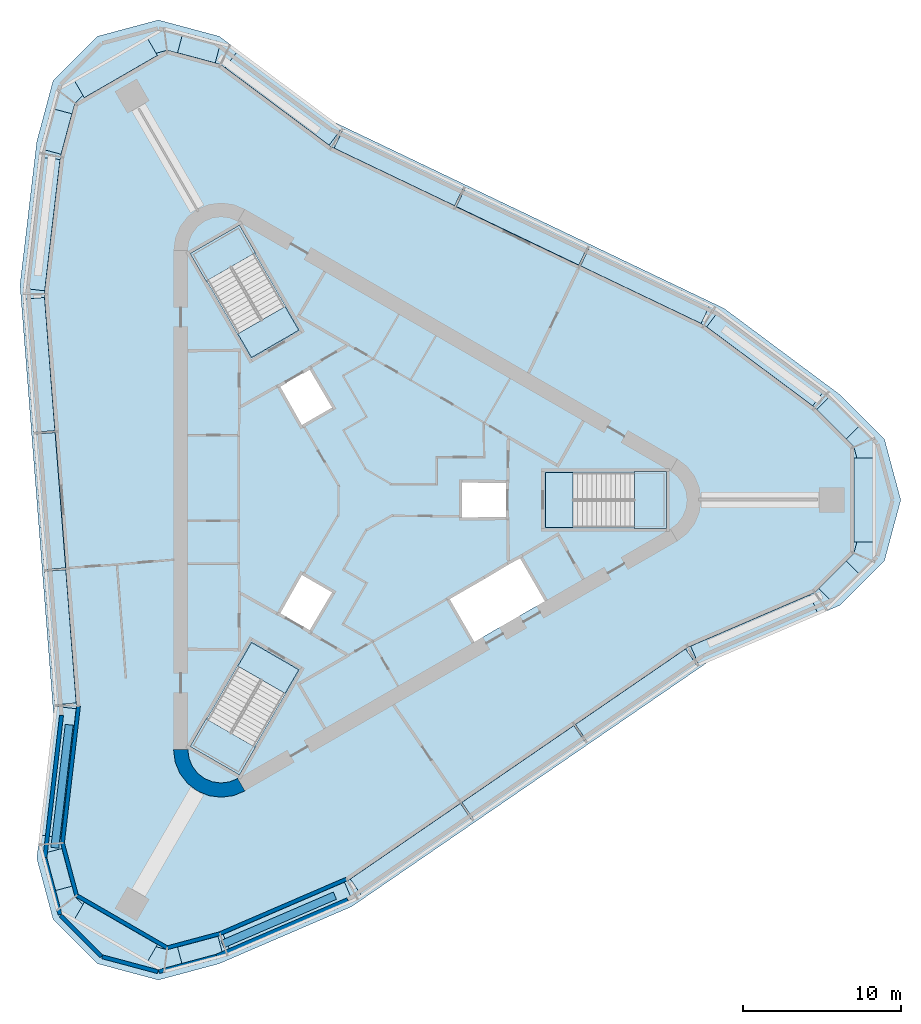
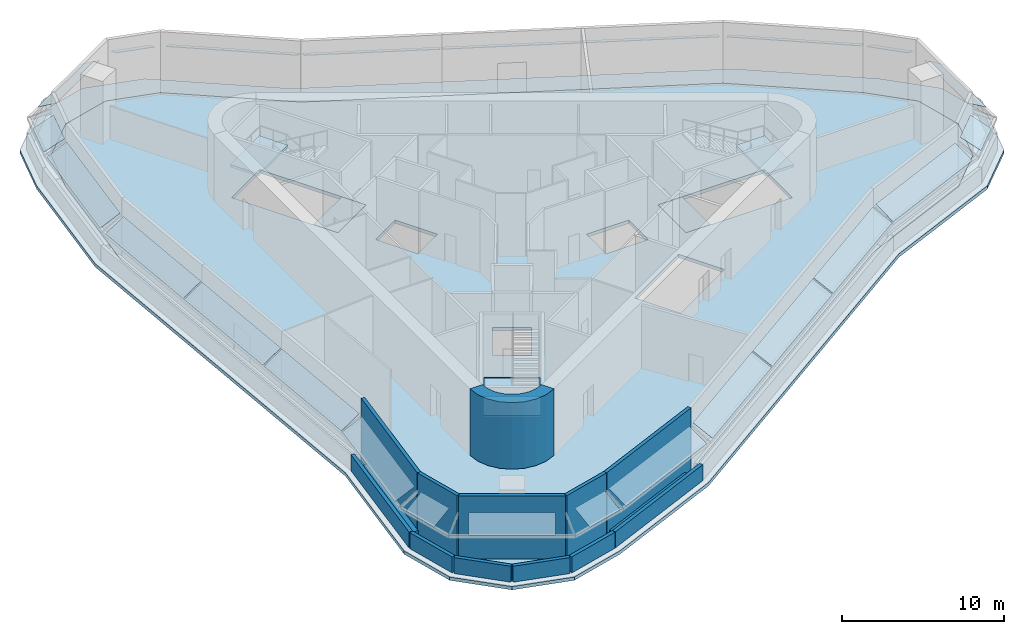
# One storey, part 3 of 8: 24 plates, 14 walls, 8 slabs, 4 elements without a shape of their own.
"""IFC4 building model written with IfcOpenShell, lengths in metres."""

from ifc_helpers import new_model, si_unit, direction, frame, frame_2d, origin, place, context, subcontext, project, spatial, polyline, rectangle, outline, extrude, material, layer, layer_set, type_object, element, aggregate, save


model = new_model("IFC4")

# Units and contexts
model_context = context("Model", 3, precision=1e-05, world=origin(), true_north=direction((0.0, 1.0)))
body_context = subcontext(model_context, "Body", "Model", "MODEL_VIEW")
ifc_project = project(units=[si_unit("LENGTHUNIT", "METRE"), si_unit("AREAUNIT", "SQUARE_METRE"), si_unit("VOLUMEUNIT", "CUBIC_METRE"), si_unit("PLANEANGLEUNIT", "RADIAN"), si_unit("MASSUNIT", "GRAM", prefix="KILO")], contexts=[model_context])

# Site, building, storey
site_placement = place(None, origin())
site = spatial("IfcSite", under=ifc_project, at=site_placement, CompositionType="ELEMENT")
building_placement = place(site_placement, origin())
building = spatial("IfcBuilding", under=site, at=building_placement, Name="Tanit Gate Tower", CompositionType="ELEMENT")
storey_placement = place(building_placement, frame((0.0, 0.0, 410.300048828125)))
storey = spatial("IfcBuildingStorey", under=building, at=storey_placement, Name="L93", CompositionType="ELEMENT", Elevation=410.300048828125)

# Slab
ifc_material_1 = material(Name="Concrete C35/45", Category="concrete")
ifc_layer_1 = layer(ifc_material_1, 0.25)
ifc_layer_set_1 = layer_set([ifc_layer_1], Name="CROWN FLOOR SLAB 250 C35/45")
slab_type_1 = type_object("IfcSlabType", Name="CROWN FLOOR SLAB 250 C35/45", PredefinedType="FLOOR", material=ifc_layer_set_1)
slab_1_placement = place(storey_placement, frame((0.0, 0.0, -0.25)))
element("IfcSlab", 1, at=slab_1_placement, inside=storey, type_object=slab_type_1, Name="FLOOR SLAB L93", PredefinedType="FLOOR", context=body_context, shape_type="SweptSolid", body=[
    extrude(outline(polyline([(28.3701171875, 5.830078125), (30.834228515625, 3.365966796875), (31.736083984375, 0.0), (30.834228515625, -3.365966796875), (28.3701171875, -5.830078125), (20.36181640625, -9.2822265625), (-1.127685546875, -24.031982421875), (-9.135986328125, -27.484130859375), (-12.502197265625, -28.385986328125), (-15.867919921875, -27.484130859375), (-18.33203125, -25.020263671875), (-19.23388671875, -21.654296875), (-18.219482421875, -12.992431640625), (-20.248291015625, 12.992431640625), (-19.23388671875, 21.654296875), (-18.33203125, 25.020263671875), (-15.867919921875, 27.484130859375), (-12.502197265625, 28.385986328125), (-9.135986328125, 27.484130859375), (-2.14208984375, 22.27490234375), (21.376220703125, 11.039306640625), (28.3701171875, 5.830078125)]), holes=[polyline([(11.3701171875, -1.72998046875), (11.3701171875, 1.72998046875), (18.929931640625, 1.72998046875), (18.929931640625, -1.72998046875), (11.3701171875, -1.72998046875)]), polyline([(9.82080078125, -3.510009765625), (11.44580078125, -6.324462890625), (6.76904296875, -9.0244140625), (5.14404296875, -6.2099609375), (9.82080078125, -3.510009765625)]), polyline([(6.0, -1.199951171875), (6.0, 1.199951171875), (9.0, 1.199951171875), (9.0, -1.199951171875), (6.0, -1.199951171875)]), polyline([(-1.960693359375, 5.796142578125), (-4.039306640625, 4.59619140625), (-5.539306640625, 7.194091796875), (-3.460693359375, 8.394287109375), (-1.960693359375, 5.796142578125)]), polyline([(-4.039306640625, -4.59619140625), (-1.960693359375, -5.796142578125), (-3.460693359375, -8.394287109375), (-5.539306640625, -7.194091796875), (-4.039306640625, -4.59619140625)]), polyline([(-4.186767578125, 10.711669921875), (-7.18310546875, 8.981689453125), (-10.963134765625, 15.52880859375), (-7.966796875, 17.2587890625), (-4.186767578125, 10.711669921875)]), polyline([(-7.18310546875, -8.981689453125), (-4.186767578125, -10.711669921875), (-7.966796875, -17.2587890625), (-10.963134765625, -15.52880859375), (-7.18310546875, -8.981689453125)])]), origin(), (0.0, 0.0, 1.0), 0.25),
])

# Curtain wall, plates
ifc_material_2 = material(Name="Aluminium bronze anodised and glass", Category="aluminium")
curtain_wall_type = type_object("IfcCurtainWallType", Name="Curtain wall crown roof", PredefinedType="NOTDEFINED", material=ifc_material_2)
curtain_wall_placement = place(storey_placement, origin())
curtain_wall = element("IfcCurtainWall", 2, at=curtain_wall_placement, inside=storey, type_object=curtain_wall_type, Name="Glass roof L93", PredefinedType="NOTDEFINED")
ifc_material_3 = material(Name="Glass tinted laminated safety", Category="glass")
ifc_layer_2 = layer(ifc_material_3, 0.033935546875)
ifc_layer_set_2 = layer_set([ifc_layer_2], Name="Glass panel 34 crown roof")
plate_type = type_object("IfcPlateType", Name="Glass panel 34 crown roof", PredefinedType="CURTAIN_PANEL", material=ifc_layer_set_2)
plate_1_placement = place(storey_placement, frame((28.240478515625, 5.94140625, 3.498291015625), z_axis=(0.298677664121, 0.401000116052, 0.866019953512), x_axis=(-0.801981174577, 0.597349307867, -3.785001e-06)))
plate_1 = element("IfcPlate", 3, at=plate_1_placement, type_object=plate_type, Name="Roof glass panel L93 NE1.1", PredefinedType="CURTAIN_PANEL", context=body_context, shape_type="SweptSolid", body=[
    extrude(outline(polyline([(0.0, 0.0), (8.342086633256072, -4.440892098500626e-16), (8.342245167834495, -1.547270917915331), (-3.726160677512661e-05, -1.5473972162399434), (0.0, 0.0)])), origin(), (0.0, 0.0, -1.0), 0.033935546875),
])
plate_2_placement = place(storey_placement, frame((21.193359375, 11.139892578125, 3.498291015625), z_axis=(0.215525885879, 0.451146480538, 0.866034321268), x_axis=(-0.902320835305, 0.431065088094, 0.0)))
plate_2 = element("IfcPlate", 4, at=plate_2_placement, type_object=plate_type, Name="Roof glass panel L93 NE2.1", PredefinedType="CURTAIN_PANEL", context=body_context, shape_type="SweptSolid", body=[
    extrude(outline(polyline([(0.0, 0.0), (8.43149117095875, 4.440892098500626e-16), (8.43153372100709, -1.5474110834159716), (4.255004834010284e-05, -1.5474110834159722), (0.0, 0.0)])), origin(), (0.0, 0.0, -1.0), 0.033935546875),
])
plate_3_placement = place(storey_placement, frame((13.47705078125, 14.826171875, 3.498291015625), z_axis=(0.215547576424, 0.451170278286, 0.866016525413), x_axis=(-0.902308649693, 0.431090594491, -5.566701e-06)))
plate_3 = element("IfcPlate", 5, at=plate_3_placement, type_object=plate_type, Name="Roof glass panel L93 NE2.2", PredefinedType="CURTAIN_PANEL", context=body_context, shape_type="SweptSolid", body=[
    extrude(outline(polyline([(0.0, 0.0), (8.56798713506492, 0.0), (8.56796662716069, -1.54722030604204), (8.473882294207722e-05, -1.547411080700675), (0.0, 0.0)])), origin(), (0.0, 0.0, -1.0), 0.033935546875),
])
plate_4_placement = place(storey_placement, frame((5.6376953125, 18.571533203125, 3.498291015625), z_axis=(0.215552460954, 0.451202108434, 0.865998726281), x_axis=(-0.902320835305, 0.431065088094, 0.0)))
plate_4 = element("IfcPlate", 6, at=plate_4_placement, type_object=plate_type, Name="Roof glass panel L93 NE2.3", PredefinedType="CURTAIN_PANEL", context=body_context, shape_type="SweptSolid", body=[
    extrude(outline(polyline([(0.0, 0.0), (8.43149117095875, 0.0), (8.431428480507067, -1.547220305888113), (-6.269045168294518e-05, -1.547220305888113), (0.0, 0.0)])), origin(), (0.0, 0.0, -1.0), 0.033935546875),
])
plate_5_placement = place(storey_placement, frame((-2.283203125, 22.39501953125, 3.498291015625), z_axis=(0.29866265183, 0.400985854377, 0.866031734402), x_axis=(-0.801989296558, 0.597338403425, 0.0)))
plate_5 = element("IfcPlate", 7, at=plate_5_placement, type_object=plate_type, Name="Roof glass panel L93 NE3.1", PredefinedType="CURTAIN_PANEL", context=body_context, shape_type="SweptSolid", body=[
    extrude(outline(polyline([(0.0, 0.0), (8.18490846766242, 4.440892098500626e-16), (8.184850056641988, -1.54739721601566), (-5.8411020432469485e-05, -1.5473972160156595), (0.0, 0.0)])), origin(), (0.0, 0.0, -1.0), 0.033935546875),
])
plate_6_placement = place(storey_placement, frame((-9.47216796875, 27.586669921875, 3.498291015625), z_axis=(0.129407057709, 0.482989093143, 0.866011171591), x_axis=(-0.965918776191, 0.258845353658, -2.6299678e-05)))
plate_6 = element("IfcPlate", 8, at=plate_6_placement, type_object=plate_type, Name="Roof glass panel L93 NW.arc1.1", PredefinedType="CURTAIN_PANEL", context=body_context, shape_type="SweptSolid", body=[
    extrude(outline(polyline([(0.0, 0.0), (2.4615891929613967, -1.1102230246251565e-16), (2.4617400477532443, -1.5471575223614886), (-2.1770555450348873e-05, -1.547416474685245), (0.0, 0.0)])), origin(), (0.0, 0.0, -1.0), 0.033935546875),
])
plate_7_placement = place(storey_placement, frame((-13.122314453125, 28.05615234375, 3.498291015625), z_axis=(-0.250010124074, 0.43302399623, 0.866016833872), x_axis=(-0.866029724031, -0.499992516965, -8.592183e-06)))
plate_7 = element("IfcPlate", 9, at=plate_7_placement, type_object=plate_type, Name="Roof glass panel L93 NW.arc2.1", PredefinedType="CURTAIN_PANEL", context=body_context, shape_type="SweptSolid", body=[
    extrude(outline(polyline([(0.0, 0.0), (5.327762233170567, 6.661338147750939e-16), (5.327749625318037, -1.5472257958207933), (-0.00013467633811659657, -1.547408900915466), (0.0, 0.0)])), origin(), (0.0, 0.0, -1.0), 0.033935546875),
])
plate_8_placement = place(storey_placement, frame((-18.517578125, 24.374267578125, 3.498291015625), z_axis=(-0.482954930137, 0.12940706551, 0.866030222829), x_axis=(-0.258809789288, -0.965928306316, 5.177544e-06)))
plate_8 = element("IfcPlate", 10, at=plate_8_placement, type_object=plate_type, Name="Roof glass panel L93 NW.arc3.1", PredefinedType="CURTAIN_PANEL", context=body_context, shape_type="SweptSolid", body=[
    extrude(outline(polyline([(0.0, 0.0), (2.642270687016576, 0.0), (2.6421752211703278, -1.5474164736186475), (0.00014035649416132285, -1.5473617532575719), (0.0, 0.0)])), origin(), (0.0, 0.0, -1.0), 0.033935546875),
])
plate_9_placement = place(storey_placement, frame((-19.265625, 21.486328125, 3.498291015625), z_axis=(-0.496613146563, 0.058159527102, 0.866021276914), x_axis=(-0.116326949453, -0.99321097497, -5.556193e-06)))
plate_9 = element("IfcPlate", 11, at=plate_9_placement, type_object=plate_type, Name="Roof glass panel L93 W1.1", PredefinedType="CURTAIN_PANEL", context=body_context, shape_type="SweptSolid", body=[
    extrude(outline(polyline([(0.0, 0.0), (8.342283616356049, 1.1102230246251565e-16), (8.342150314607503, -1.5472484610557156), (0.00013758153378075653, -1.5474338607483573), (0.0, 0.0)])), origin(), (0.0, 0.0, -1.0), 0.033935546875),
])
plate_10_placement = place(storey_placement, frame((-20.244140625, 12.783935546875, 3.498291015625), z_axis=(-0.49849648271, -0.038917777712, 0.866017703805), x_axis=(0.077834321955, -0.996966307518, 4.87965e-07)))
plate_10 = element("IfcPlate", 12, at=plate_10_placement, type_object=plate_type, Name="Roof glass panel L93 W2.1", PredefinedType="CURTAIN_PANEL", context=body_context, shape_type="SweptSolid", body=[
    extrude(outline(polyline([(0.0, 0.0), (8.43133999639917, 1.1102230246251565e-16), (8.431533019719806, -1.547330237833671), (-5.0376656785281855e-05, -1.54731378125554), (0.0, 0.0)])), origin(), (0.0, 0.0, -1.0), 0.033935546875),
])
plate_11_placement = place(storey_placement, frame((-19.57861328125, 4.25830078125, 3.498291015625), z_axis=(-0.498533117156, -0.038920292944, 0.865996502242), x_axis=(0.077843413941, -0.996965597635, 6.150934e-06)))
plate_11 = element("IfcPlate", 13, at=plate_11_placement, type_object=plate_type, Name="Roof glass panel L93 W2.2", PredefinedType="CURTAIN_PANEL", context=body_context, shape_type="SweptSolid", body=[
    extrude(outline(polyline([(0.0, 0.0), (8.5679932951534, 2.220446049250313e-16), (8.567926316831095, -1.5473137794365222), (-4.797358257359428e-05, -1.5471029961159628), (0.0, 0.0)])), origin(), (0.0, 0.0, -1.0), 0.033935546875),
])
plate_12_placement = place(storey_placement, frame((-18.90234375, -4.4033203125, 3.498291015625), z_axis=(-0.498495358593, -0.038932168259, 0.866017704055), x_axis=(0.077863102656, -0.996964060157, 4.88144e-07)))
plate_12 = element("IfcPlate", 14, at=plate_12_placement, type_object=plate_type, Name="Roof glass panel L93 W2.3", PredefinedType="CURTAIN_PANEL", context=body_context, shape_type="SweptSolid", body=[
    extrude(outline(polyline([(0.0, 0.0), (8.43135900250104, 2.220446049250313e-16), (8.431513341632721, -1.547330242175801), (-8.906029706994147e-05, -1.547313779512537), (0.0, 0.0)])), origin(), (0.0, 0.0, -1.0), 0.033935546875),
])
plate_13_placement = place(storey_placement, frame((-18.2529296875, -13.1748046875, 3.498291015625), z_axis=(-0.496609383951, 0.058157495727, 0.866023570962), x_axis=(-0.116325287061, -0.993211169666, -6.414132e-06)))
plate_13 = element("IfcPlate", 15, at=plate_13_placement, type_object=plate_type, Name="Roof glass panel L93 W3.1", PredefinedType="CURTAIN_PANEL", context=body_context, shape_type="SweptSolid", body=[
    extrude(outline(polyline([(0.0, 0.0), (8.184964391374967, 0.0), (8.184829510695858, -1.5472484606570225), (-0.00010648095082264208, -1.547458456729006), (0.0, 0.0)])), origin(), (0.0, 0.0, -1.0), 0.033935546875),
])
plate_14_placement = place(storey_placement, frame((-19.15478515625, -21.996337890625, 3.498291015625), z_axis=(-0.482989093143, -0.129407057709, 0.866011171591), x_axis=(0.258826756988, -0.965923759743, 1.5183314e-05)))
plate_14 = element("IfcPlate", 16, at=plate_14_placement, type_object=plate_type, Name="Roof glass panel L93 SW.arc1.1", PredefinedType="CURTAIN_PANEL", context=body_context, shape_type="SweptSolid", body=[
    extrude(outline(polyline([(0.0, 0.0), (2.461825013583488, 0.0), (2.4616453645024827, -1.5473617486732345), (0.0001193622756184649, -1.5472122504785126), (0.0, 0.0)])), origin(), (0.0, 0.0, -1.0), 0.033935546875),
])
plate_15_placement = place(storey_placement, frame((-17.736328125, -25.392333984375, 3.498291015625), z_axis=(-0.250033510019, -0.433044657794, 0.865999750706), x_axis=(0.866012362072, -0.500022588228, 0.0)))
plate_15 = element("IfcPlate", 17, at=plate_15_placement, type_object=plate_type, Name="Roof glass panel L93 SW.arc2.1", PredefinedType="CURTAIN_PANEL", context=body_context, shape_type="SweptSolid", body=[
    extrude(outline(polyline([(0.0, 0.0), (5.327884305064785, -2.220446049250313e-16), (5.327950086393961, -1.5472257953767374), (6.57813291752482e-05, -1.547225795376737), (0.0, 0.0)])), origin(), (0.0, 0.0, -1.0), 0.033935546875),
])
plate_16_placement = place(storey_placement, frame((-11.849853515625, -28.223876953125, 3.498291015625), z_axis=(0.129427634033, -0.48300858927, 0.865997222998), x_axis=(0.965922890213, 0.258830002438, 0.0)))
plate_16 = element("IfcPlate", 18, at=plate_16_placement, type_object=plate_type, Name="Roof glass panel L93 SW.arc3.1", PredefinedType="CURTAIN_PANEL", context=body_context, shape_type="SweptSolid", body=[
    extrude(outline(polyline([(0.0, 0.0), (2.64203486529006, 1.1102230246251565e-16), (2.6421614727284677, -1.5472122505046422), (0.00012660743840819944, -1.5472122505046422), (0.0, 0.0)])), origin(), (0.0, 0.0, -1.0), 0.033935546875),
])
plate_17_placement = place(storey_placement, frame((-8.974853515625, -27.427734375, 3.498291015625), z_axis=(0.197931000685, -0.459148999335, 0.866028588083), x_axis=(0.91830413867, 0.395875622978, 5.818574e-06)))
plate_17 = element("IfcPlate", 19, at=plate_17_placement, type_object=plate_type, Name="Roof glass panel L93 SE1.1", PredefinedType="CURTAIN_PANEL", context=body_context, shape_type="SweptSolid", body=[
    extrude(outline(polyline([(0.0, 0.0), (8.342176956836347, 4.440892098500626e-16), (8.342139710458886, -1.5474774300007181), (5.940294455471183e-05, -1.5472832707026305), (0.0, 0.0)])), origin(), (0.0, 0.0, -1.0), 0.033935546875),
])
plate_18_placement = place(storey_placement, frame((-0.94921875, -23.923828125, 3.498291015625), z_axis=(0.28294709184, -0.412241179576, 0.866024337465), x_axis=(0.824484379775, 0.56588471218, -5.168759e-06)))
plate_18 = element("IfcPlate", 20, at=plate_18_placement, type_object=plate_type, Name="Roof glass panel L93 SE2.1", PredefinedType="CURTAIN_PANEL", context=body_context, shape_type="SweptSolid", body=[
    extrude(outline(polyline([(0.0, 0.0), (8.431507119108673, 8.881784197001252e-16), (8.431564868318706, -1.547270404517692), (-8.040623727665395e-05, -1.5474447270277585), (0.0, 0.0)])), origin(), (0.0, 0.0, -1.0), 0.033935546875),
])
plate_19_placement = place(storey_placement, frame((6.101318359375, -19.084716796875, 3.498291015625), z_axis=(0.282963869903, -0.412263825561, 0.866008075287), x_axis=(0.824478161596, 0.565893771878, 0.0)))
plate_19 = element("IfcPlate", 21, at=plate_19_placement, type_object=plate_type, Name="Roof glass panel L93 SE2.2", PredefinedType="CURTAIN_PANEL", context=body_context, shape_type="SweptSolid", body=[
    extrude(outline(polyline([(0.0, 0.0), (8.568097147288663, 0.0), (8.568136173696914, -1.5472704059215374), (3.902640824937631e-05, -1.5472704059215374), (0.0, 0.0)])), origin(), (0.0, 0.0, -1.0), 0.033935546875),
])
plate_20_placement = place(storey_placement, frame((13.264404296875, -14.168212890625, 3.498291015625), z_axis=(0.28294709184, -0.412241179576, 0.866024337465), x_axis=(0.824474247549, 0.565899474378, 5.168675e-06)))
plate_20 = element("IfcPlate", 22, at=plate_20_placement, type_object=plate_type, Name="Roof glass panel L93 SE2.3", PredefinedType="CURTAIN_PANEL", context=body_context, shape_type="SweptSolid", body=[
    extrude(outline(polyline([(0.0, 0.0), (8.431645276358024, -4.440892098500626e-16), (8.431532877023312, -1.5474447250346515), (2.5759716650261306e-05, -1.5472704053809574), (0.0, 0.0)])), origin(), (0.0, 0.0, -1.0), 0.033935546875),
])
plate_21_placement = place(storey_placement, frame((20.5361328125, -9.22021484375, 3.498291015625), z_axis=(0.197946810399, -0.45917634507, 0.866010475907), x_axis=(0.918305204668, 0.395873150237, 0.0)))
plate_21 = element("IfcPlate", 23, at=plate_21_placement, type_object=plate_type, Name="Roof glass panel L93 SE3.1", PredefinedType="CURTAIN_PANEL", context=body_context, shape_type="SweptSolid", body=[
    extrude(outline(polyline([(0.0, 0.0), (8.185031930194716, 0.0), (8.185099443023796, -1.5472832713851683), (6.751282907940803e-05, -1.547283271385168), (0.0, 0.0)])), origin(), (0.0, 0.0, -1.0), 0.033935546875),
])
plate_22_placement = place(storey_placement, frame((28.626953125, -5.59033203125, 3.498291015625), z_axis=(0.353592978157, -0.353543385874, 0.866013325592), x_axis=(0.707057189239, 0.707156369656, 0.0)))
plate_22 = element("IfcPlate", 24, at=plate_22_placement, type_object=plate_type, Name="Roof glass panel L93 E.arc1.1", PredefinedType="CURTAIN_PANEL", context=body_context, shape_type="SweptSolid", body=[
    extrude(outline(polyline([(0.0, 0.0), (2.461580961360861, -2.220446049250313e-16), (2.461486986947667, -1.54729854395281), (-9.39744131940684e-05, -1.54729854395281), (0.0, 0.0)])), origin(), (0.0, 0.0, -1.0), 0.033935546875),
])
plate_23_placement = place(storey_placement, frame((30.858642578125, -2.663818359375, 3.498291015625), z_axis=(0.500059376657, 0.0, 0.865991119941), x_axis=(0.0, 1.0, 0.0)))
plate_23 = element("IfcPlate", 25, at=plate_23_placement, type_object=plate_type, Name="Roof glass panel L93 E.arc2.1", PredefinedType="CURTAIN_PANEL", context=body_context, shape_type="SweptSolid", body=[
    extrude(outline(polyline([(0.0, 0.0), (5.327880859375, 0.0), (5.327880859375, -1.5471795485509283), (0.0, -1.5471795485509283), (0.0, 0.0)])), origin(), (0.0, 0.0, -1.0), 0.033935546875),
])
plate_24_placement = place(storey_placement, frame((30.367431640625, 3.849609375, 3.498291015625), z_axis=(0.353568182233, 0.353568182233, 0.866013326125), x_axis=(-0.707106781187, 0.707106781187, 0.0)))
plate_24 = element("IfcPlate", 26, at=plate_24_placement, type_object=plate_type, Name="Roof glass panel L93 E.arc3.1", PredefinedType="CURTAIN_PANEL", context=body_context, shape_type="SweptSolid", body=[
    extrude(outline(polyline([(0.0, 0.0), (2.6419829539255186, 0.0), (2.6419829539255186, -1.5472985468065552), (0.0, -1.5472985468065552), (0.0, 0.0)])), origin(), (0.0, 0.0, -1.0), 0.033935546875),
])
aggregate(curtain_wall, [plate_1, plate_2, plate_3, plate_4, plate_5, plate_6, plate_7, plate_8, plate_9, plate_10, plate_11, plate_12, plate_13, plate_14, plate_15, plate_16, plate_17, plate_18, plate_19, plate_20, plate_21, plate_22, plate_23, plate_24])

# Stair, slab
ifc_material_4 = material(Name="Concrete C40/50", Category="concrete")
stair_type = type_object("IfcStairType", Name="INT-STAIR-EXIT", PredefinedType="HALF_TURN_STAIR", material=ifc_material_4)
stair_1_placement = place(storey_placement, origin())
stair_1 = element("IfcStair", 27, at=stair_1_placement, inside=storey, type_object=stair_type, Name="L93 STAIR S1", PredefinedType="HALF_TURN_STAIR")
ifc_material_5 = material(Name="Concrete C40/50", Category="concrete")
ifc_layer_3 = layer(ifc_material_5, 0.199951171875)
ifc_layer_set_3 = layer_set([ifc_layer_3], Name="INT-STAIR-LANDING")
slab_type_2 = type_object("IfcSlabType", Name="INT-STAIR-LANDING", PredefinedType="LANDING", material=ifc_layer_set_3)
slab_2_placement = place(storey_placement, frame((0.0, 0.0, 2.300048828125)))
slab_2 = element("IfcSlab", 28, at=slab_2_placement, type_object=slab_type_2, Name="S1 landing 1", PredefinedType="LANDING", context=body_context, shape_type="SweptSolid", body=[
    extrude(outline(polyline([(16.985107421875, -1.800048828125), (19.0, -1.800048828125), (19.0, 1.800048828125), (16.985107421875, 1.800048828125), (16.985107421875, -1.800048828125)])), origin(), (0.0, 0.0, 1.0), 0.199951171875),
])
aggregate(stair_1, [slab_2])

# Slab
slab_3_placement = place(storey_placement, frame((0.0, 0.0, -0.199951171875)))
element("IfcSlab", 29, at=slab_3_placement, inside=storey, type_object=slab_type_2, Name="S1 floor landing", PredefinedType="LANDING", context=body_context, shape_type="SweptSolid", body=[
    extrude(outline(polyline([(11.3798828125, -1.719970703125), (13.10498046875, -1.719970703125), (13.10498046875, 1.719970703125), (11.3798828125, 1.719970703125), (11.3798828125, -1.719970703125)])), origin(), (0.0, 0.0, 1.0), 0.199951171875),
])

# Stair, slab
stair_2_placement = place(storey_placement, origin())
stair_2 = element("IfcStair", 30, at=stair_2_placement, inside=storey, type_object=stair_type, Name="L93 STAIR S2", PredefinedType="HALF_TURN_STAIR")
slab_4_placement = place(storey_placement, frame((0.0, 0.0, 2.300048828125)))
slab_4 = element("IfcSlab", 31, at=slab_4_placement, type_object=slab_type_2, Name="S2 landing 1", PredefinedType="LANDING", context=body_context, shape_type="SweptSolid", body=[
    extrude(outline(polyline([(-6.93310546875, 15.608642578125), (-7.941162109375, 17.3544921875), (-11.058837890625, 15.554443359375), (-10.05078125, 13.80859375), (-6.93310546875, 15.608642578125)])), origin(), (0.0, 0.0, 1.0), 0.199951171875),
])
aggregate(stair_2, [slab_4])

# Slab
slab_5_placement = place(storey_placement, frame((0.0, 0.0, -0.199951171875)))
element("IfcSlab", 32, at=slab_5_placement, inside=storey, type_object=slab_type_2, Name="S2 floor landing", PredefinedType="LANDING", context=body_context, shape_type="SweptSolid", body=[
    extrude(outline(polyline([(-4.200439453125, 10.71533203125), (-5.0625, 12.20849609375), (-8.04150390625, 10.48828125), (-7.179443359375, 8.995361328125), (-4.200439453125, 10.71533203125)])), origin(), (0.0, 0.0, 1.0), 0.199951171875),
])

# Stair, slab
stair_3_placement = place(storey_placement, origin())
stair_3 = element("IfcStair", 33, at=stair_3_placement, inside=storey, type_object=stair_type, Name="L93 STAIR S3", PredefinedType="HALF_TURN_STAIR")
slab_6_placement = place(storey_placement, frame((0.0, 0.0, 2.300048828125)))
slab_6 = element("IfcSlab", 34, at=slab_6_placement, type_object=slab_type_2, Name="S3 landing 1", PredefinedType="LANDING", context=body_context, shape_type="SweptSolid", body=[
    extrude(outline(polyline([(-10.05126953125, -13.809326171875), (-11.058837890625, -15.554443359375), (-7.941162109375, -17.3544921875), (-6.93359375, -15.609375), (-10.05126953125, -13.809326171875)])), origin(), (0.0, 0.0, 1.0), 0.199951171875),
])
aggregate(stair_3, [slab_6])

# Slabs
slab_7_placement = place(storey_placement, frame((0.0, 0.0, -0.199951171875)))
element("IfcSlab", 35, at=slab_7_placement, inside=storey, type_object=slab_type_2, Name="S3 floor landing", PredefinedType="LANDING", context=body_context, shape_type="SweptSolid", body=[
    extrude(outline(polyline([(-7.179443359375, -8.995361328125), (-8.0419921875, -10.4892578125), (-5.06298828125, -12.209228515625), (-4.200439453125, -10.71533203125), (-7.179443359375, -8.995361328125)])), origin(), (0.0, 0.0, 1.0), 0.199951171875),
])
ifc_material_6 = material(Name="Concrete C35/45", Category="concrete")
ifc_layer_4 = layer(ifc_material_6, 0.25)
ifc_layer_set_4 = layer_set([ifc_layer_4], Name="TERRACE SLAB 250 C35/45")
slab_type_3 = type_object("IfcSlabType", Name="TERRACE SLAB 250 C35/45", PredefinedType="FLOOR", material=ifc_layer_set_4)
slab_8_placement = place(storey_placement, frame((0.0, 0.0, -0.25)))
element("IfcSlab", 36, at=slab_8_placement, inside=storey, type_object=slab_type_3, Name="TERRACE SLAB L93", PredefinedType="FLOOR", context=body_context, shape_type="SweptSolid", body=[
    extrude(outline(polyline([(32.767822265625, 3.836181640625), (33.795654296875, 0.0), (32.767822265625, -3.836181640625), (29.959716796875, -6.644287109375), (21.5927734375, -10.251220703125), (-0.858642578125, -25.6611328125), (-9.2255859375, -29.26806640625), (-13.061767578125, -30.2958984375), (-16.89794921875, -29.26806640625), (-19.7060546875, -26.459716796875), (-20.73388671875, -22.62353515625), (-19.67431640625, -13.57421875), (-21.793701171875, 13.57421875), (-20.73388671875, 22.62353515625), (-19.7060546875, 26.459716796875), (-16.89794921875, 29.26806640625), (-13.061767578125, 30.2958984375), (-9.2255859375, 29.26806640625), (-1.91845703125, 23.825439453125), (22.652587890625, 12.0869140625), (29.959716796875, 6.644287109375), (32.767822265625, 3.836181640625)]), holes=[polyline([(21.376220703125, 11.039306640625), (-2.14208984375, 22.27490234375), (-9.135986328125, 27.484130859375), (-12.502197265625, 28.385986328125), (-15.867919921875, 27.484130859375), (-18.33203125, 25.020263671875), (-19.23388671875, 21.654296875), (-20.248291015625, 12.992431640625), (-18.219482421875, -12.992431640625), (-19.23388671875, -21.654296875), (-18.33203125, -25.020263671875), (-15.867919921875, -27.484130859375), (-12.502197265625, -28.385986328125), (-9.135986328125, -27.484130859375), (-1.127685546875, -24.031982421875), (20.36181640625, -9.2822265625), (28.3701171875, -5.830078125), (30.834228515625, -3.365966796875), (31.736083984375, 0.0), (30.834228515625, 3.365966796875), (28.3701171875, 5.830078125), (21.376220703125, 11.039306640625)])]), origin(), (0.0, 0.0, 1.0), 0.25),
])

# Walls
ifc_material_7 = material(Name="Concrete C40/50", Category="concrete")
ifc_layer_5 = layer(ifc_material_7, 0.89990234375)
ifc_layer_set_5 = layer_set([ifc_layer_5], Name="CORE WALL 900 C40/50")
wall_type_1 = type_object("IfcWallType", Name="CORE WALL 900 C40/50", PredefinedType="SHEAR", material=ifc_layer_set_5)
wall_1_placement = place(storey_placement, origin())
element("IfcWall", 37, at=wall_1_placement, inside=storey, type_object=wall_type_1, Name="CORE WALL CORNER", PredefinedType="SHEAR", context=body_context, shape_type="SweptSolid", body=[
    extrude(outline(polyline([(-12.10009765625, -15.76171875), (-11.997802734375, -16.5380859375), (-11.697998046875, -17.26171875), (-11.22119140625, -17.883056640625), (-10.60009765625, -18.359619140625), (-9.87646484375, -18.659423828125), (-9.10009765625, -18.76171875), (-8.323486328125, -18.659423828125), (-7.60009765625, -18.359619140625), (-8.050048828125, -17.580322265625), (-8.556396484375, -17.7900390625), (-9.10009765625, -17.86181640625), (-9.6435546875, -17.7900390625), (-10.14990234375, -17.580322265625), (-10.5849609375, -17.24658203125), (-10.918701171875, -16.811767578125), (-11.12841796875, -16.30517578125), (-11.199951171875, -15.76171875), (-12.10009765625, -15.76171875)])), origin(), (0.0, 0.0, 1.0), 5.0),
])
ifc_material_8 = material(Name="Concrete C30/37 with bronze anodised aluminium cladding", Category="concrete")
ifc_layer_6 = layer(ifc_material_8, 0.239990234375)
ifc_layer_set_6 = layer_set([ifc_layer_6], Name="Facade wall bronze clad 240")
wall_type_2 = type_object("IfcWallType", Name="Facade wall bronze clad 240", PredefinedType="SOLIDWALL", material=ifc_layer_set_6)
wall_2_placement = place(storey_placement, frame((-18.09912109375, -12.994873046875, 0.0), z_axis=(0.0, 0.0, 1.0), x_axis=(-0.11630289075, -0.993213792495, 0.0)))
element("IfcWall", 38, at=wall_2_placement, inside=storey, type_object=wall_type_2, Name="Bronze-clad facade wall L93 W3", PredefinedType="SOLIDWALL", context=body_context, shape_type="SweptSolid", body=[
    extrude(rectangle(XDim=8.70947265625, YDim=0.239990234375, at=frame_2d((4.354736328125, 0.0))), origin(), (0.0, 0.0, 1.0), 4.75),
])
wall_3_placement = place(storey_placement, frame((-19.112060546875, -21.645263671875, 0.0), z_axis=(0.0, 0.0, 1.0), x_axis=(0.2588321564, -0.965922313032, 0.0)))
element("IfcWall", 39, at=wall_3_placement, inside=storey, type_object=wall_type_2, Name="Bronze-clad facade wall L93 SW.arc1", PredefinedType="SOLIDWALL", context=body_context, shape_type="SweptSolid", body=[
    extrude(rectangle(XDim=3.4296875, YDim=0.239990234375, at=frame_2d((1.71484375, 0.0))), origin(), (0.0, 0.0, 1.0), 4.75),
])
wall_4_placement = place(storey_placement, frame((-18.224365234375, -24.9580078125, 0.0), z_axis=(0.0, 0.0, 1.0), x_axis=(0.866008373729, -0.500029495762, 0.0)))
element("IfcWall", 40, at=wall_4_placement, inside=storey, type_object=wall_type_2, Name="Bronze-clad facade wall L93 SW.arc2", PredefinedType="SOLIDWALL", context=body_context, shape_type="SweptSolid", body=[
    extrude(rectangle(XDim=6.607421875, YDim=0.239990234375, at=frame_2d((3.3037109375, 0.0))), origin(), (0.0, 0.0, 1.0), 4.75),
])
wall_5_placement = place(storey_placement, frame((-12.502197265625, -28.261962890625, 0.0), z_axis=(0.0, 0.0, 1.0), x_axis=(0.965927167772, 0.258814038569, 0.0)))
element("IfcWall", 41, at=wall_5_placement, inside=storey, type_object=wall_type_2, Name="Bronze-clad facade wall L93 SW.arc3", PredefinedType="SOLIDWALL", context=body_context, shape_type="SweptSolid", body=[
    extrude(rectangle(XDim=3.444091796875, YDim=0.239990234375, at=frame_2d((1.72216796875, 0.0))), origin(), (0.0, 0.0, 1.0), 4.75),
])
wall_6_placement = place(storey_placement, frame((-9.175537109375, -27.37060546875, 0.0), z_axis=(0.0, 0.0, 1.0), x_axis=(0.918299639306, 0.395886059934, 0.0)))
element("IfcWall", 42, at=wall_6_placement, inside=storey, type_object=wall_type_2, Name="Bronze-clad facade wall L93 SE1", PredefinedType="SOLIDWALL", context=body_context, shape_type="SweptSolid", body=[
    extrude(rectangle(XDim=8.700439453125, YDim=0.239990234375, at=frame_2d((4.35009765625, 0.0))), origin(), (0.0, 0.0, 1.0), 4.75),
])
ifc_material_9 = material(Name="Concrete C30/37", Category="concrete")
ifc_layer_7 = layer(ifc_material_9, 0.25)
ifc_layer_set_7 = layer_set([ifc_layer_7], Name="Parapet wall 250")
wall_type_3 = type_object("IfcWallType", Name="Parapet wall 250", PredefinedType="PARAPET", material=ifc_layer_set_7)
wall_7_placement = place(storey_placement, frame((-1.112548828125, -25.22607421875, 0.0400390625), z_axis=(0.0, 0.0, 1.0), x_axis=(-0.918309982659, -0.39586206657, 0.0)))
element("IfcWall", 43, at=wall_7_placement, inside=storey, type_object=wall_type_3, Name="Terrace parapet L93 7", PredefinedType="PARAPET", context=body_context, shape_type="SweptSolid", body=[
    extrude(rectangle(XDim=9.0048828125, YDim=0.25, at=frame_2d((4.50244140625, 0.0))), origin(), (0.0, 0.0, 1.0), 1.199951171875),
])
wall_8_placement = place(storey_placement, frame((-9.39892578125, -28.796875, 0.0400390625), z_axis=(0.0, 0.0, 1.0), x_axis=(-0.965932394764, -0.258794529976, 0.0)))
element("IfcWall", 44, at=wall_8_placement, inside=storey, type_object=wall_type_3, Name="Terrace parapet L93 8", PredefinedType="PARAPET", context=body_context, shape_type="SweptSolid", body=[
    extrude(rectangle(XDim=3.75830078125, YDim=0.25, at=frame_2d((1.879150390625, 0.0))), origin(), (0.0, 0.0, 1.0), 1.199951171875),
])
wall_9_placement = place(storey_placement, frame((-13.09423828125, -29.76953125, 0.0400390625), z_axis=(0.0, 0.0, 1.0), x_axis=(-0.965925575047, 0.258819982749, 0.0)))
element("IfcWall", 45, at=wall_9_placement, inside=storey, type_object=wall_type_3, Name="Terrace parapet L93 9", PredefinedType="PARAPET", context=body_context, shape_type="SweptSolid", body=[
    extrude(rectangle(XDim=3.636474609375, YDim=0.25, at=frame_2d((1.818359375, 0.0))), origin(), (0.0, 0.0, 1.0), 1.199951171875),
])
wall_10_placement = place(storey_placement, frame((-16.662841796875, -28.7958984375, 0.0400390625), z_axis=(0.0, 0.0, 1.0), x_axis=(-0.707106781187, 0.707106781187, 0.0)))
element("IfcWall", 46, at=wall_10_placement, inside=storey, type_object=wall_type_3, Name="Terrace parapet L93 10", PredefinedType="PARAPET", context=body_context, shape_type="SweptSolid", body=[
    extrude(rectangle(XDim=3.63623046875, YDim=0.25, at=frame_2d((1.818115234375, 0.0))), origin(), (0.0, 0.0, 1.0), 1.199951171875),
])
wall_11_placement = place(storey_placement, frame((-19.266357421875, -26.16845703125, 0.0400390625), z_axis=(0.0, 0.0, 1.0), x_axis=(-0.258842080622, 0.965919653646, 0.0)))
element("IfcWall", 47, at=wall_11_placement, inside=storey, type_object=wall_type_3, Name="Terrace parapet L93 11", PredefinedType="PARAPET", context=body_context, shape_type="SweptSolid", body=[
    extrude(rectangle(XDim=3.68408203125, YDim=0.25, at=frame_2d((1.842041015625, 0.0))), origin(), (0.0, 0.0, 1.0), 1.199951171875),
])
wall_12_placement = place(storey_placement, frame((-20.223388671875, -22.56298828125, 0.0400390625), z_axis=(0.0, 0.0, 1.0), x_axis=(0.116306211684, 0.993213403617, 0.0)))
element("IfcWall", 48, at=wall_12_placement, inside=storey, type_object=wall_type_3, Name="Terrace parapet L93 12", PredefinedType="PARAPET", context=body_context, shape_type="SweptSolid", body=[
    extrude(rectangle(XDim=9.0283203125, YDim=0.25, at=frame_2d((4.51416015625, 0.0))), origin(), (0.0, 0.0, 1.0), 1.199951171875),
])
ifc_material_10 = material(Name="Concrete C30/37", Category="concrete")
ifc_layer_8 = layer(ifc_material_10, 0.5)
ifc_layer_set_8 = layer_set([ifc_layer_8], Name="Planter box 600")
wall_type_4 = type_object("IfcWallType", Name="Planter box 600", PredefinedType="PARAPET", material=ifc_layer_set_8)
wall_13_placement = place(storey_placement, frame((-1.91943359375, -24.974853515625, 0.0400390625), z_axis=(0.0, 0.0, 1.0), x_axis=(-0.918308453361, -0.395865614174, 0.0)))
element("IfcWall", 49, at=wall_13_placement, inside=storey, type_object=wall_type_4, Name="PLANTER", PredefinedType="PARAPET", context=body_context, shape_type="SweptSolid", body=[
    extrude(rectangle(XDim=7.732421875, YDim=0.5, at=frame_2d((3.8662109375, 0.0))), origin(), (0.0, 0.0, 1.0), 0.599853515625),
])
wall_14_placement = place(storey_placement, frame((-19.597900390625, -21.9501953125, 0.0400390625), z_axis=(0.0, 0.0, 1.0), x_axis=(0.116308187363, 0.993213172261, 0.0)))
element("IfcWall", 50, at=wall_14_placement, inside=storey, type_object=wall_type_4, Name="PLANTER", PredefinedType="PARAPET", context=body_context, shape_type="SweptSolid", body=[
    extrude(rectangle(XDim=7.812744140625, YDim=0.5, at=frame_2d((3.90625, 0.0))), origin(), (0.0, 0.0, 1.0), 0.599853515625),
])

save(model, "model.ifc")
